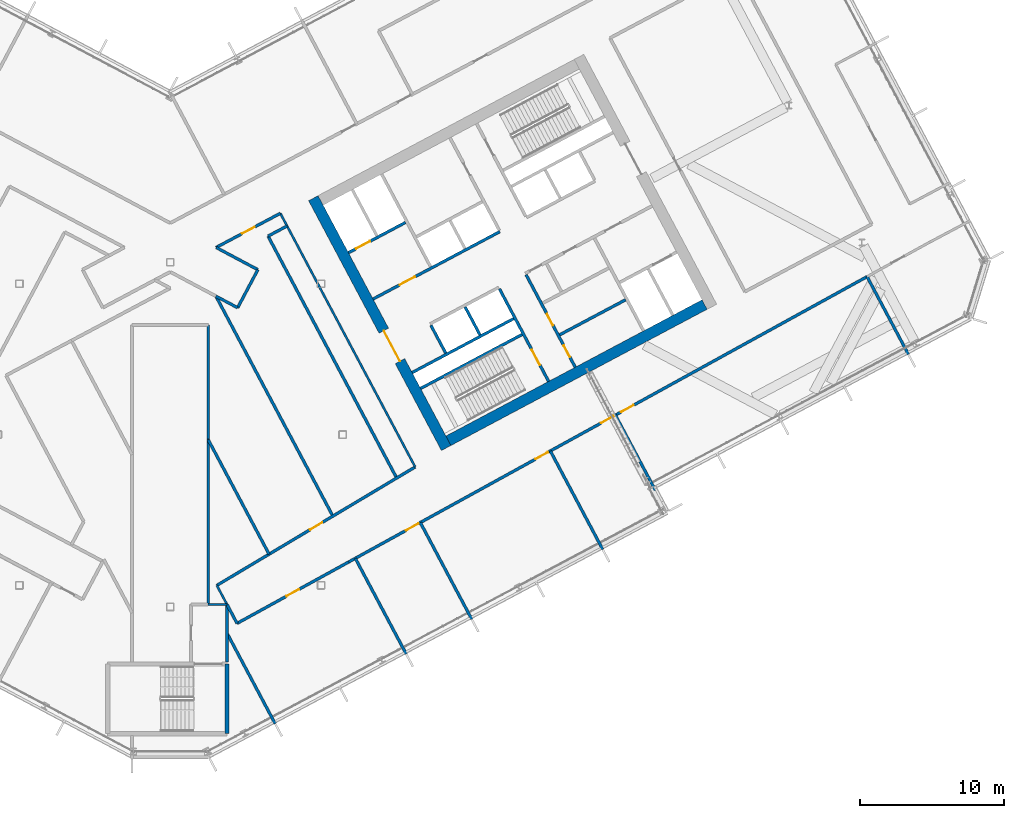
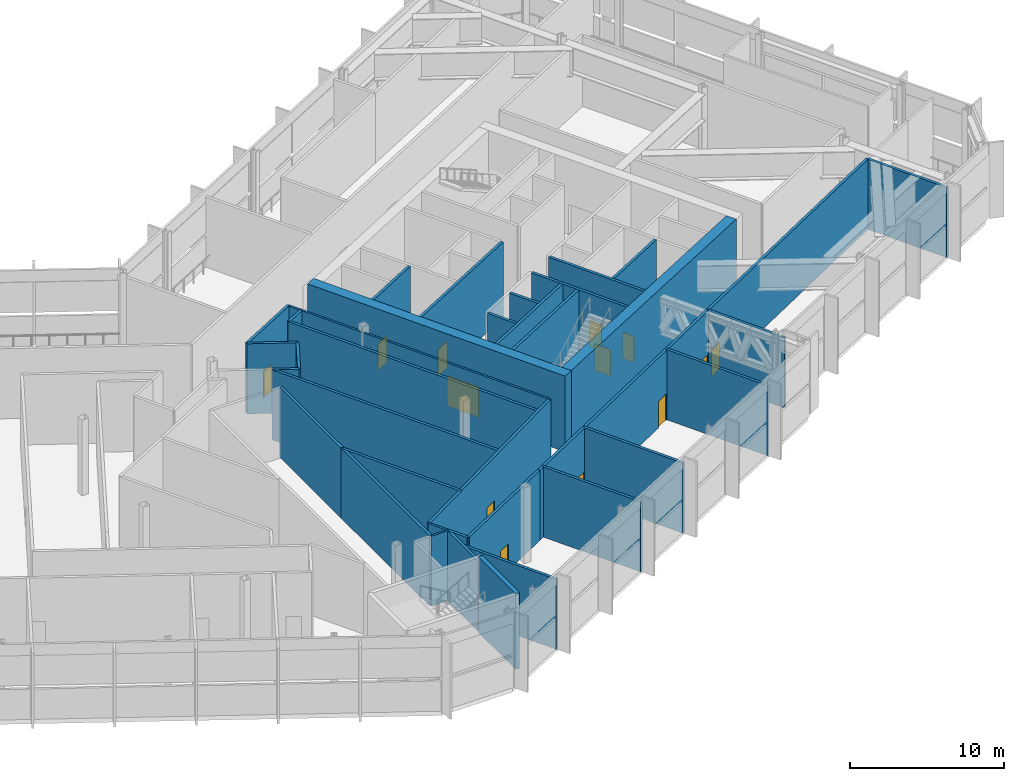
# One storey, part 16 of 33: 36 walls, 13 doors, 13 openings.
"""IFC4 building model written with IfcOpenShell, lengths in metres."""

from ifc_helpers import new_model, si_unit, direction, frame, frame_2d, origin, place, context, subcontext, project, spatial, rectangle, extrude, material, layer, layer_set, type_object, element, fill, save


model = new_model("IFC4")

# Units and contexts
model_context = context("Model", 3, precision=1e-05, world=origin(), true_north=direction((0.0, 1.0)))
body_context = subcontext(model_context, "Body", "Model", "MODEL_VIEW")
ifc_project = project(units=[si_unit("LENGTHUNIT", "METRE"), si_unit("AREAUNIT", "SQUARE_METRE"), si_unit("VOLUMEUNIT", "CUBIC_METRE"), si_unit("PLANEANGLEUNIT", "RADIAN"), si_unit("MASSUNIT", "GRAM", prefix="KILO")], contexts=[model_context])

# Site, building, storey
site_placement = place(None, origin())
site = spatial("IfcSite", under=ifc_project, at=site_placement, CompositionType="ELEMENT")
building_placement = place(site_placement, origin())
building = spatial("IfcBuilding", under=site, at=building_placement, Name="Cormorant Relay Tower", CompositionType="ELEMENT")
storey_placement = place(building_placement, frame((0.0, 0.0, 183.60009765625)))
storey = spatial("IfcBuildingStorey", under=building, at=storey_placement, Name="L39", CompositionType="ELEMENT", Elevation=183.60009765625)

# Walls
ifc_material_1 = material(Name="Concrete 40 MPa", Category="concrete")
ifc_layer_1 = layer(ifc_material_1, 0.199951171875)
ifc_layer_set_1 = layer_set([ifc_layer_1], Name="Core internal wall 200")
wall_type_1 = type_object("IfcWallType", Name="Core internal wall 200", PredefinedType="SOLIDWALL", material=ifc_layer_set_1)
wall_1_placement = place(storey_placement, frame((21.567626953125, 6.9375, 0.0), z_axis=(0.0, 0.0, 1.0), x_axis=(-0.469533832133, 0.882914480843, 0.0)))
element("IfcWall", 1, at=wall_1_placement, inside=storey, type_object=wall_type_1, Name="L39 core B shaft and room wall", PredefinedType="SOLIDWALL", context=body_context, shape_type="SweptSolid", body=[
    extrude(rectangle(XDim=2.199951171875, YDim=0.199951171875, at=frame_2d((1.10009765625, 0.0))), origin(), (0.0, 0.0, 1.0), 6.0),
])
wall_2_placement = place(storey_placement, frame((27.11474609375, 6.942138671875, 0.0), z_axis=(0.0, 0.0, 1.0), x_axis=(0.882934506056, 0.469496174655, 0.0)))
element("IfcWall", 2, at=wall_2_placement, inside=storey, type_object=wall_type_1, Name="L39 core B shaft and room wall", PredefinedType="SOLIDWALL", context=body_context, shape_type="SweptSolid", body=[
    extrude(rectangle(XDim=5.199951171875, YDim=0.199951171875, at=frame_2d((2.60009765625, 0.0))), origin(), (0.0, 0.0, 1.0), 6.0),
])
ifc_material_2 = material(Name="Concrete 50 MPa", Category="concrete")
ifc_layer_2 = layer(ifc_material_2, 0.199951171875)
ifc_layer_set_2 = layer_set([ifc_layer_2], Name="Core shaft wall 200")
wall_type_2 = type_object("IfcWallType", Name="Core shaft wall 200", PredefinedType="SHEAR", material=ifc_layer_set_2)
wall_3_placement = place(storey_placement, frame((19.18359375, 5.669921875, 0.0), z_axis=(0.0, 0.0, 1.0), x_axis=(-0.4694473164, 0.882960484464, 0.0)))
element("IfcWall", 3, at=wall_3_placement, inside=storey, type_object=wall_type_2, Name="L39 core B shaft wall", PredefinedType="SHEAR", context=body_context, shape_type="SweptSolid", body=[
    extrude(rectangle(XDim=2.199951171875, YDim=0.199951171875, at=frame_2d((1.10009765625, 0.0))), origin(), (0.0, 0.0, 1.0), 6.0),
])

# Wall, opening, door
wall_4_placement = place(storey_placement, frame((26.345947265625, 3.701904296875, 0.0), z_axis=(0.0, 0.0, 1.0), x_axis=(-0.469480409012, 0.88294288918, 0.0)))
wall_4 = element("IfcWall", 4, at=wall_4_placement, inside=storey, type_object=wall_type_2, Name="L39 core B shaft wall", PredefinedType="SHEAR", context=body_context, shape_type="SweptSolid", body=[
    extrude(rectangle(XDim=7.300048828125, YDim=0.199951171875, at=frame_2d((3.64990234375, 0.0))), origin(), (0.0, 0.0, 1.0), 6.0),
])
opening_1_placement = place(wall_4_placement, frame((1.300048828125, 0.0, 0.0)))
opening_1 = element("IfcOpeningElement", 5, at=opening_1_placement, cuts=wall_4, Name="Opening CDB-031", PredefinedType="OPENING", context=body_context, shape_type="SweptSolid", body=[
    extrude(rectangle(XDim=1.199951171875, YDim=2.10009765625, at=frame_2d((0.60009765625, 1.050048828125))), frame((0.0, 0.10986328125, 0.0), z_axis=(0.0, -1.0, 0.0), x_axis=(1.0, 0.0, 0.0)), (0.0, 0.0, 1.0), 0.219970703125),
])
ifc_material_3 = material(Name="Steel fire door", Category="steel")
door_type_1 = type_object("IfcDoorType", Name="Core stair door 1200x2100", OperationType="SINGLE_SWING_LEFT", PredefinedType="DOOR", material=ifc_material_3)
door_1_placement = place(opening_1_placement, origin())
door_1 = element("IfcDoor", 6, at=door_1_placement, inside=storey, type_object=door_type_1, Name="Core stair door 1200x2100", OperationType="SINGLE_SWING_RIGHT", OverallHeight=2.10009765625, OverallWidth=1.199951171875, PredefinedType="DOOR", context=body_context, shape_type="SweptSolid", body=[
    extrude(rectangle(XDim=1.199951171875, YDim=2.10009765625, at=frame_2d((0.60009765625, 1.050048828125))), frame((0.0, 0.02490234375, 0.0), z_axis=(0.0, -1.0, 0.0), x_axis=(1.0, 0.0, 0.0)), (0.0, 0.0, 1.0), 0.050048828125),
])
fill(opening_1, door_1)

# Wall, openings, doors
wall_5_placement = place(storey_placement, frame((28.199951171875, 4.687744140625, 0.0), z_axis=(0.0, 0.0, 1.0), x_axis=(-0.469454336211, 0.882956752176, 0.0)))
wall_5 = element("IfcWall", 7, at=wall_5_placement, inside=storey, type_object=wall_type_2, Name="L39 core B shaft wall", PredefinedType="SHEAR", context=body_context, shape_type="SweptSolid", body=[
    extrude(rectangle(XDim=7.300048828125, YDim=0.199951171875, at=frame_2d((3.64990234375, 0.0))), origin(), (0.0, 0.0, 1.0), 6.0),
])
opening_2_placement = place(wall_5_placement, frame((0.800048828125, 0.0, 0.0)))
opening_2 = element("IfcOpeningElement", 8, at=opening_2_placement, cuts=wall_5, Name="Opening CDD-230", PredefinedType="OPENING", context=body_context, shape_type="SweptSolid", body=[
    extrude(rectangle(XDim=0.89990234375, YDim=2.10009765625, at=frame_2d((0.449951171875, 1.050048828125))), frame((0.0, 0.10986328125, 0.0), z_axis=(0.0, -1.0, 0.0), x_axis=(1.0, 0.0, 0.0)), (0.0, 0.0, 1.0), 0.219970703125),
])
opening_3_placement = place(wall_5_placement, frame((3.300048828125, 0.0, 0.0)))
opening_3 = element("IfcOpeningElement", 9, at=opening_3_placement, cuts=wall_5, Name="Opening CDD-231", PredefinedType="OPENING", context=body_context, shape_type="SweptSolid", body=[
    extrude(rectangle(XDim=0.89990234375, YDim=2.10009765625, at=frame_2d((0.449951171875, 1.050048828125))), frame((0.0, 0.10986328125, 0.0), z_axis=(0.0, -1.0, 0.0), x_axis=(1.0, 0.0, 0.0)), (0.0, 0.0, 1.0), 0.219970703125),
])
ifc_material_4 = material(Name="Steel fire door", Category="steel")
door_type_2 = type_object("IfcDoorType", Name="Core room door 900x2100", OperationType="SINGLE_SWING_LEFT", PredefinedType="DOOR", material=ifc_material_4)
door_2_placement = place(opening_2_placement, frame((0.89990234375, 0.0, 0.0), z_axis=(0.0, 0.0, 1.0), x_axis=(-1.0, 0.0, 0.0)))
door_2 = element("IfcDoor", 10, at=door_2_placement, inside=storey, type_object=door_type_2, Name="Core room door 900x2100", OperationType="SINGLE_SWING_LEFT", OverallHeight=2.10009765625, OverallWidth=0.89990234375, PredefinedType="DOOR", context=body_context, shape_type="SweptSolid", body=[
    extrude(rectangle(XDim=0.89990234375, YDim=2.10009765625, at=frame_2d((0.449951171875, 1.050048828125))), frame((0.0, 0.02490234375, 0.0), z_axis=(0.0, -1.0, 0.0), x_axis=(1.0, 0.0, 0.0)), (0.0, 0.0, 1.0), 0.050048828125),
])
fill(opening_2, door_2)
door_3_placement = place(opening_3_placement, frame((0.89990234375, 0.0, 0.0), z_axis=(0.0, 0.0, 1.0), x_axis=(-1.0, 0.0, 0.0)))
door_3 = element("IfcDoor", 11, at=door_3_placement, inside=storey, type_object=door_type_2, Name="Core room door 900x2100", OperationType="SINGLE_SWING_LEFT", OverallHeight=2.10009765625, OverallWidth=0.89990234375, PredefinedType="DOOR", context=body_context, shape_type="SweptSolid", body=[
    extrude(rectangle(XDim=0.89990234375, YDim=2.10009765625, at=frame_2d((0.449951171875, 1.050048828125))), frame((0.0, 0.02490234375, 0.0), z_axis=(0.0, -1.0, 0.0), x_axis=(1.0, 0.0, 0.0)), (0.0, 0.0, 1.0), 0.050048828125),
])
fill(opening_3, door_3)

# Walls
for number, where, z_axis, x_axis, name in (
    (12, (17.43359375, 3.210205078125, 0.0), (0.0, 0.0, 1.0), (0.882940221191, 0.469485426614, 0.0), "L39 core B shaft wall"),
    (13, (16.8466796875, 4.31396484375, 0.0), (0.0, 0.0, 1.0), (0.882940221191, 0.469485426614, 0.0), "L39 core B shaft wall"),
):
    element("IfcWall", number, at=place(storey_placement, frame(where, z_axis=z_axis, x_axis=x_axis)), inside=storey, type_object=wall_type_2, Name=name, PredefinedType="SHEAR", context=body_context, shape_type="SweptSolid", body=[
        extrude(rectangle(XDim=8.0, YDim=0.199951171875, at=frame_2d((4.0, 0.0))), origin(), (0.0, 0.0, 1.0), 6.0),
    ])

# Wall, opening, door
wall_6_placement = place(storey_placement, frame((14.123779296875, 9.43505859375, 0.0), z_axis=(0.0, 0.0, 1.0), x_axis=(0.882940221191, 0.469485426614, 0.0)))
wall_6 = element("IfcWall", 14, at=wall_6_placement, inside=storey, type_object=wall_type_2, Name="L39 core B shaft wall", PredefinedType="SHEAR", context=body_context, shape_type="SweptSolid", body=[
    extrude(rectangle(XDim=10.0, YDim=0.199951171875, at=frame_2d((5.0, 0.0))), origin(), (0.0, 0.0, 1.0), 6.0),
])
opening_4_placement = place(wall_6_placement, frame((2.10009765625, 0.0, 0.0)))
opening_4 = element("IfcOpeningElement", 15, at=opening_4_placement, cuts=wall_6, Name="Opening CDC-023", PredefinedType="OPENING", context=body_context, shape_type="SweptSolid", body=[
    extrude(rectangle(XDim=1.199951171875, YDim=2.10009765625, at=frame_2d((0.60009765625, 1.050048828125))), frame((0.0, 0.10986328125, 0.0), z_axis=(0.0, -1.0, 0.0), x_axis=(1.0, 0.0, 0.0)), (0.0, 0.0, 1.0), 0.219970703125),
])
ifc_material_5 = material(Name="Steel fire door", Category="steel")
door_type_3 = type_object("IfcDoorType", Name="Core lobby door 1200x2100", OperationType="SINGLE_SWING_LEFT", PredefinedType="DOOR", material=ifc_material_5)
door_4_placement = place(opening_4_placement, origin())
door_4 = element("IfcDoor", 16, at=door_4_placement, inside=storey, type_object=door_type_3, Name="Core lobby door 1200x2100", OperationType="SINGLE_SWING_RIGHT", OverallHeight=2.10009765625, OverallWidth=1.199951171875, PredefinedType="DOOR", context=body_context, shape_type="SweptSolid", body=[
    extrude(rectangle(XDim=1.199951171875, YDim=2.10009765625, at=frame_2d((0.60009765625, 1.050048828125))), frame((0.0, 0.02490234375, 0.0), z_axis=(0.0, -1.0, 0.0), x_axis=(1.0, 0.0, 0.0)), (0.0, 0.0, 1.0), 0.050048828125),
])
fill(opening_4, door_4)

wall_7_placement = place(storey_placement, frame((12.41015625, 12.657958984375, 0.0), z_axis=(0.0, 0.0, 1.0), x_axis=(0.8829484765, 0.469469900894, 0.0)))
wall_7 = element("IfcWall", 17, at=wall_7_placement, inside=storey, type_object=wall_type_2, Name="L39 core B shaft wall", PredefinedType="SHEAR", context=body_context, shape_type="SweptSolid", body=[
    extrude(rectangle(XDim=4.499755859375, YDim=0.199951171875, at=frame_2d((2.25, 0.0))), origin(), (0.0, 0.0, 1.0), 6.0),
])
opening_5_placement = place(wall_7_placement, frame((0.60009765625, 0.0, 0.0)))
opening_5 = element("IfcOpeningElement", 18, at=opening_5_placement, cuts=wall_7, Name="Opening LD1-042", PredefinedType="OPENING", context=body_context, shape_type="SweptSolid", body=[
    extrude(rectangle(XDim=1.10009765625, YDim=2.10009765625, at=frame_2d((0.550048828125, 1.050048828125))), frame((0.0, 0.10986328125, 0.0), z_axis=(0.0, -1.0, 0.0), x_axis=(1.0, 0.0, 0.0)), (0.0, 0.0, 1.0), 0.219970703125),
])
ifc_material_6 = material(Name="Stainless steel 316", Category="steel")
door_type_4 = type_object("IfcDoorType", Name="Lift landing door 1100x2100", OperationType="DOUBLE_DOOR_SLIDING", PredefinedType="DOOR", material=ifc_material_6)
door_5_placement = place(opening_5_placement, origin())
door_5 = element("IfcDoor", 19, at=door_5_placement, inside=storey, type_object=door_type_4, Name="FF2 landing door", OperationType="DOUBLE_DOOR_SLIDING", OverallHeight=2.10009765625, OverallWidth=1.10009765625, PredefinedType="DOOR", context=body_context, shape_type="SweptSolid", body=[
    extrude(rectangle(XDim=1.10009765625, YDim=2.10009765625, at=frame_2d((0.550048828125, 1.050048828125))), frame((0.0, 0.02490234375, 0.0), z_axis=(0.0, -1.0, 0.0), x_axis=(1.0, 0.0, 0.0)), (0.0, 0.0, 1.0), 0.050048828125),
])
fill(opening_5, door_5)

ifc_material_7 = material(Name="Concrete 60 MPa", Category="concrete")
ifc_layer_3 = layer(ifc_material_7, 0.75)
ifc_layer_set_3 = layer_set([ifc_layer_3], Name="Core wall 750")
wall_type_3 = type_object("IfcWallType", Name="Core wall 750", PredefinedType="SHEAR", material=ifc_layer_set_3)
wall_8_placement = place(storey_placement, frame((19.215087890625, -0.93896484375, 0.0), z_axis=(0.0, 0.0, 1.0), x_axis=(-0.469479580143, 0.882943329908, 0.0)))
wall_8 = element("IfcWall", 20, at=wall_8_placement, inside=storey, type_object=wall_type_3, Name="L39 core B wall", PredefinedType="SHEAR", context=body_context, shape_type="SweptSolid", body=[
    extrude(rectangle(XDim=19.699951171875, YDim=0.75, at=frame_2d((9.85009765625, 0.0))), origin(), (0.0, 0.0, 1.0), 6.0),
])
opening_6_placement = place(wall_8_placement, frame((6.85009765625, 0.0, 0.0)))
opening_6 = element("IfcOpeningElement", 21, at=opening_6_placement, cuts=wall_8, Name="Opening CDA-038", PredefinedType="OPENING", context=body_context, shape_type="SweptSolid", body=[
    extrude(rectangle(XDim=2.39990234375, YDim=2.39990234375, at=frame_2d((1.199951171875, 1.199951171875))), frame((0.0, 0.385009765625, 0.0), z_axis=(0.0, -1.0, 0.0), x_axis=(1.0, 0.0, 0.0)), (0.0, 0.0, 1.0), 0.77001953125),
])
ifc_material_8 = material(Name="Steel fire door", Category="steel")
door_type_5 = type_object("IfcDoorType", Name="Core lobby door 2400x2400", OperationType="DOUBLE_DOOR_SINGLE_SWING", PredefinedType="DOOR", material=ifc_material_8)
door_6_placement = place(opening_6_placement, frame((2.39990234375, 0.0, 0.0), z_axis=(0.0, 0.0, 1.0), x_axis=(-1.0, 0.0, 0.0)))
door_6 = element("IfcDoor", 22, at=door_6_placement, inside=storey, type_object=door_type_5, Name="Core lobby door 2400x2400", OperationType="DOUBLE_DOOR_SINGLE_SWING", OverallHeight=2.39990234375, OverallWidth=2.39990234375, PredefinedType="DOOR", context=body_context, shape_type="SweptSolid", body=[
    extrude(rectangle(XDim=2.39990234375, YDim=2.39990234375, at=frame_2d((1.199951171875, 1.199951171875))), frame((0.0, 0.02490234375, 0.0), z_axis=(0.0, -1.0, 0.0), x_axis=(1.0, 0.0, 0.0)), (0.0, 0.0, 1.0), 0.050048828125),
])
fill(opening_6, door_6)

# Walls
wall_9_placement = place(storey_placement, frame((19.3701171875, -0.431884765625, 0.0), z_axis=(0.0, 0.0, 1.0), x_axis=(0.88294509198, 0.469476266226, 0.0)))
element("IfcWall", 23, at=wall_9_placement, inside=storey, type_object=wall_type_3, Name="L39 core B wall", PredefinedType="SHEAR", context=body_context, shape_type="SweptSolid", body=[
    extrude(rectangle(XDim=20.199951171875, YDim=0.75, at=frame_2d((10.10009765625, 0.0))), origin(), (0.0, 0.0, 1.0), 6.0),
])
ifc_material_9 = material(Name="Fire-rated gypsum board partition")
ifc_layer_4 = layer(ifc_material_9, 0.199951171875)
ifc_layer_set_4 = layer_set([ifc_layer_4], Name="Fire-rated gypsum partition 200")
wall_type_4 = type_object("IfcWallType", Name="Fire-rated gypsum partition 200", PredefinedType="PARTITIONING", material=ifc_layer_set_4)
wall_10_placement = place(storey_placement, frame((2.64892578125, -0.297119140625, 0.0), z_axis=(0.0, 0.0, 1.0), x_axis=(-0.000123285559, 0.9999999924, 0.0)))
element("IfcWall", 24, at=wall_10_placement, inside=storey, type_object=wall_type_4, Name="wall/L39/part/45", PredefinedType="PARTITIONING", context=body_context, shape_type="SweptSolid", body=[
    extrude(rectangle(XDim=7.921142578125, YDim=0.199951171875, at=frame_2d((3.96044921875, 0.0))), origin(), (0.0, 0.0, 1.0), 5.5498046875),
])
wall_11_placement = place(storey_placement, frame((3.18408203125, 9.632080078125, 0.0), z_axis=(0.0, 0.0, 1.0), x_axis=(0.469488044355, -0.882938829256, 0.0)))
element("IfcWall", 25, at=wall_11_placement, inside=storey, type_object=wall_type_4, Name="wall/L39/part/51", PredefinedType="PARTITIONING", context=body_context, shape_type="SweptSolid", body=[
    extrude(rectangle(XDim=17.33984375, YDim=0.199951171875, at=frame_2d((8.669921875, 0.0))), origin(), (0.0, 0.0, 1.0), 5.5498046875),
])
wall_12_placement = place(storey_placement, frame((6.883056640625, -8.3291015625, 0.0), z_axis=(0.0, 0.0, 1.0), x_axis=(-0.469431608927, 0.882968835543, 0.0)))
element("IfcWall", 26, at=wall_12_placement, inside=storey, type_object=wall_type_4, Name="wall/L39/part/52", PredefinedType="PARTITIONING", context=body_context, shape_type="SweptSolid", body=[
    extrude(rectangle(XDim=9.019775390625, YDim=0.199951171875, at=frame_2d((4.509765625, 0.0))), origin(), (0.0, 0.0, 1.0), 5.5498046875),
])
wall_13_placement = place(storey_placement, frame((3.949951171875, -11.824951171875, 0.0), z_axis=(0.0, 0.0, 1.0), x_axis=(0.0, -1.0, 0.0)))
element("IfcWall", 27, at=wall_13_placement, inside=storey, type_object=wall_type_4, Name="wall/L39/part/57", PredefinedType="PARTITIONING", context=body_context, shape_type="SweptSolid", body=[
    extrude(rectangle(XDim=4.01513671875, YDim=0.199951171875, at=frame_2d((2.007568359375, 0.0))), origin(), (0.0, 0.0, 1.0), 5.5498046875),
])
wall_14_placement = place(storey_placement, frame((2.64892578125, -0.297119140625, 0.0), z_axis=(0.0, 0.0, 1.0), x_axis=(0.0, -1.0, 0.0)))
element("IfcWall", 28, at=wall_14_placement, inside=storey, type_object=wall_type_4, Name="wall/L39/part/58", PredefinedType="PARTITIONING", context=body_context, shape_type="SweptSolid", body=[
    extrude(rectangle(XDim=11.52783203125, YDim=0.199951171875, at=frame_2d((5.763916015625, 0.0))), origin(), (0.0, 0.0, 1.0), 5.5498046875),
])

# Wall, opening, door
wall_15_placement = place(storey_placement, frame((3.195068359375, 13.02490234375, 0.0), z_axis=(0.0, 0.0, 1.0), x_axis=(0.882993980878, 0.469384309211, 0.0)))
wall_15 = element("IfcWall", 29, at=wall_15_placement, inside=storey, type_object=wall_type_4, Name="wall/L39/part/59", PredefinedType="PARTITIONING", context=body_context, shape_type="SweptSolid", body=[
    extrude(rectangle(XDim=5.064453125, YDim=0.199951171875, at=frame_2d((2.5322265625, 0.0))), origin(), (0.0, 0.0, 1.0), 5.5498046875),
])
opening_7_placement = place(wall_15_placement, frame((2.050048828125, 0.0, 0.0)))
opening_7 = element("IfcOpeningElement", 30, at=opening_7_placement, cuts=wall_15, Name="Opening FD1-175", PredefinedType="OPENING", context=body_context, shape_type="SweptSolid", body=[
    extrude(rectangle(XDim=1.0, YDim=2.10009765625, at=frame_2d((0.5, 1.050048828125))), frame((0.0, 0.10986328125, 0.0), z_axis=(0.0, -1.0, 0.0), x_axis=(1.0, 0.0, 0.0)), (0.0, 0.0, 1.0), 0.219970703125),
])
ifc_material_10 = material(Name="Fire-rated steel door", Category="steel")
door_type_6 = type_object("IfcDoorType", Name="Fire door 1000 x 2100", OperationType="SINGLE_SWING_LEFT", PredefinedType="DOOR", material=ifc_material_10)
door_7_placement = place(opening_7_placement, frame((1.0, 0.0, 0.0), z_axis=(0.0, 0.0, 1.0), x_axis=(-1.0, 0.0, 0.0)))
door_7 = element("IfcDoor", 31, at=door_7_placement, inside=storey, type_object=door_type_6, Name="door/L39/8", OperationType="SINGLE_SWING_RIGHT", OverallHeight=2.10009765625, OverallWidth=1.0, PredefinedType="DOOR", context=body_context, shape_type="SweptSolid", body=[
    extrude(rectangle(XDim=1.0, YDim=2.10009765625, at=frame_2d((0.5, 1.050048828125))), frame((0.0, 0.02490234375, 0.0), z_axis=(0.0, -1.0, 0.0), x_axis=(1.0, 0.0, 0.0)), (0.0, 0.0, 1.0), 0.050048828125),
])
fill(opening_7, door_7)

# Walls
wall_16_placement = place(storey_placement, frame((8.135986328125, 14.51904296875, 0.0), z_axis=(0.0, 0.0, 1.0), x_axis=(-0.882641123357, -0.470047494791, 0.0)))
element("IfcWall", 32, at=wall_16_placement, inside=storey, type_object=wall_type_4, Name="wall/L39/part/60", PredefinedType="PARTITIONING", context=body_context, shape_type="SweptSolid", body=[
    extrude(rectangle(XDim=1.5, YDim=0.199951171875, at=frame_2d((0.75, 0.0))), origin(), (0.0, 0.0, 1.0), 5.5498046875),
])
wall_17_placement = place(storey_placement, frame((6.81201171875, 13.81396484375, 0.0), z_axis=(0.0, 0.0, 1.0), x_axis=(0.46951956429, -0.882922068333, 0.0)))
element("IfcWall", 33, at=wall_17_placement, inside=storey, type_object=wall_type_4, Name="wall/L39/part/61", PredefinedType="PARTITIONING", context=body_context, shape_type="SweptSolid", body=[
    extrude(rectangle(XDim=19.07275390625, YDim=0.199951171875, at=frame_2d((9.536376953125, 0.0))), origin(), (0.0, 0.0, 1.0), 5.5498046875),
])
wall_18_placement = place(storey_placement, frame((3.2060546875, 13.01904296875, 0.0), z_axis=(0.0, 0.0, 1.0), x_axis=(0.882863200263, -0.469630247772, 0.0)))
element("IfcWall", 34, at=wall_18_placement, inside=storey, type_object=wall_type_4, Name="wall/L39/part/62", PredefinedType="PARTITIONING", context=body_context, shape_type="SweptSolid", body=[
    extrude(rectangle(XDim=3.28125, YDim=0.199951171875, at=frame_2d((1.640625, 0.0))), origin(), (0.0, 0.0, 1.0), 5.5498046875),
])
wall_19_placement = place(storey_placement, frame((6.10302734375, 11.47802734375, 0.0), z_axis=(0.0, 0.0, 1.0), x_axis=(-0.469341661158, -0.883016650523, 0.0)))
element("IfcWall", 35, at=wall_19_placement, inside=storey, type_object=wall_type_4, Name="wall/L39/part/63", PredefinedType="PARTITIONING", context=body_context, shape_type="SweptSolid", body=[
    extrude(rectangle(XDim=2.999755859375, YDim=0.199951171875, at=frame_2d((1.5, 0.0))), origin(), (0.0, 0.0, 1.0), 5.5498046875),
])
wall_20_placement = place(storey_placement, frame((4.695068359375, 8.8291015625, 0.0), z_axis=(0.0, 0.0, 1.0), x_axis=(-0.882799303078, 0.469750349106, 0.0)))
element("IfcWall", 36, at=wall_20_placement, inside=storey, type_object=wall_type_4, Name="wall/L39/part/64", PredefinedType="PARTITIONING", context=body_context, shape_type="SweptSolid", body=[
    extrude(rectangle(XDim=1.70947265625, YDim=0.199951171875, at=frame_2d((0.854736328125, 0.0))), origin(), (0.0, 0.0, 1.0), 5.5498046875),
])

# Wall, opening, door
wall_21_placement = place(storey_placement, frame((3.24609375, -10.5009765625, 0.0), z_axis=(0.0, 0.0, 1.0), x_axis=(0.858642651925, 0.512574673872, 0.0)))
wall_21 = element("IfcWall", 37, at=wall_21_placement, inside=storey, type_object=wall_type_4, Name="wall/L39/part/66", PredefinedType="PARTITIONING", context=body_context, shape_type="SweptSolid", body=[
    extrude(rectangle(XDim=16.083251953125, YDim=0.199951171875, at=frame_2d((8.04150390625, 0.0))), origin(), (0.0, 0.0, 1.0), 5.5498046875),
])
opening_8_placement = place(wall_21_placement, frame((7.550048828125, 0.0, 0.0)))
opening_8 = element("IfcOpeningElement", 38, at=opening_8_placement, cuts=wall_21, Name="Opening FD1-173", PredefinedType="OPENING", context=body_context, shape_type="SweptSolid", body=[
    extrude(rectangle(XDim=1.0, YDim=2.10009765625, at=frame_2d((0.5, 1.050048828125))), frame((0.0, 0.10986328125, 0.0), z_axis=(0.0, -1.0, 0.0), x_axis=(1.0, 0.0, 0.0)), (0.0, 0.0, 1.0), 0.219970703125),
])
door_8_placement = place(opening_8_placement, origin())
door_8 = element("IfcDoor", 39, at=door_8_placement, inside=storey, type_object=door_type_6, Name="door/L39/6", OperationType="SINGLE_SWING_RIGHT", OverallHeight=2.10009765625, OverallWidth=1.0, PredefinedType="DOOR", context=body_context, shape_type="SweptSolid", body=[
    extrude(rectangle(XDim=1.0, YDim=2.10009765625, at=frame_2d((0.5, 1.050048828125))), frame((0.0, 0.02490234375, 0.0), z_axis=(0.0, -1.0, 0.0), x_axis=(1.0, 0.0, 0.0)), (0.0, 0.0, 1.0), 0.050048828125),
])
fill(opening_8, door_8)

# Wall
wall_22_placement = place(storey_placement, frame((7.303955078125, -20.126953125, 0.0), z_axis=(0.0, 0.0, 1.0), x_axis=(-0.469420857785, 0.882974551319, 0.0)))
element("IfcWall", 40, at=wall_22_placement, inside=storey, type_object=wall_type_4, Name="wall/L39/part/68", PredefinedType="PARTITIONING", context=body_context, shape_type="SweptSolid", body=[
    extrude(rectangle(XDim=7.14501953125, YDim=0.199951171875, at=frame_2d((3.572509765625, 0.0))), origin(), (0.0, 0.0, 1.0), 5.5498046875),
])

# Wall, opening, door
wall_23_placement = place(storey_placement, frame((12.424072265625, -8.873046875, 0.0), z_axis=(0.0, 0.0, 1.0), x_axis=(-0.876103131237, -0.482123742867, 0.0)))
wall_23 = element("IfcWall", 41, at=wall_23_placement, inside=storey, type_object=wall_type_4, Name="wall/L39/part/69", PredefinedType="PARTITIONING", context=body_context, shape_type="SweptSolid", body=[
    extrude(rectangle(XDim=8.868896484375, YDim=0.199951171875, at=frame_2d((4.4345703125, 0.0))), origin(), (0.0, 0.0, 1.0), 5.5498046875),
])
opening_9_placement = place(wall_23_placement, frame((3.950927734375, 0.0, 0.0)))
opening_9 = element("IfcOpeningElement", 42, at=opening_9_placement, cuts=wall_23, Name="Opening FD1-172", PredefinedType="OPENING", context=body_context, shape_type="SweptSolid", body=[
    extrude(rectangle(XDim=1.0, YDim=2.10009765625, at=frame_2d((0.5, 1.050048828125))), frame((0.0, 0.10986328125, 0.0), z_axis=(0.0, -1.0, 0.0), x_axis=(1.0, 0.0, 0.0)), (0.0, 0.0, 1.0), 0.219970703125),
])
door_9_placement = place(opening_9_placement, origin())
door_9 = element("IfcDoor", 43, at=door_9_placement, inside=storey, type_object=door_type_6, Name="door/L39/5", OperationType="SINGLE_SWING_LEFT", OverallHeight=2.10009765625, OverallWidth=1.0, PredefinedType="DOOR", context=body_context, shape_type="SweptSolid", body=[
    extrude(rectangle(XDim=1.0, YDim=2.10009765625, at=frame_2d((0.5, 1.050048828125))), frame((0.0, 0.02490234375, 0.0), z_axis=(0.0, -1.0, 0.0), x_axis=(1.0, 0.0, 0.0)), (0.0, 0.0, 1.0), 0.050048828125),
])
fill(opening_9, door_9)

# Walls
wall_24_placement = place(storey_placement, frame((3.950927734375, -11.826904296875, 0.0), z_axis=(0.0, 0.0, 1.0), x_axis=(0.470080557323, -0.882623515224, 0.0)))
element("IfcWall", 44, at=wall_24_placement, inside=storey, type_object=wall_type_4, Name="wall/L39/part/70", PredefinedType="PARTITIONING", context=body_context, shape_type="SweptSolid", body=[
    extrude(rectangle(XDim=1.497802734375, YDim=0.199951171875, at=frame_2d((0.7490234375, 0.0))), origin(), (0.0, 0.0, 1.0), 5.5498046875),
])
wall_25_placement = place(storey_placement, frame((12.887939453125, -8.616943359375, 0.0), z_axis=(0.0, 0.0, 1.0), x_axis=(0.469566260547, -0.882897234652, 0.0)))
element("IfcWall", 45, at=wall_25_placement, inside=storey, type_object=wall_type_4, Name="wall/L39/part/71", PredefinedType="PARTITIONING", context=body_context, shape_type="SweptSolid", body=[
    extrude(rectangle(XDim=7.541015625, YDim=0.199951171875, at=frame_2d((3.7705078125, 0.0))), origin(), (0.0, 0.0, 1.0), 5.5498046875),
])

# Wall, openings, doors
wall_26_placement = place(storey_placement, frame((48.51806640625, 10.993896484375, 0.0), z_axis=(0.0, 0.0, 1.0), x_axis=(-0.876059599613, -0.482202838986, 0.0)))
wall_26 = element("IfcWall", 46, at=wall_26_placement, inside=storey, type_object=wall_type_4, Name="wall/L39/part/72", PredefinedType="PARTITIONING", context=body_context, shape_type="SweptSolid", body=[
    extrude(rectangle(XDim=41.200439453125, YDim=0.199951171875, at=frame_2d((20.60009765625, 0.0))), origin(), (0.0, 0.0, 1.0), 5.5498046875),
])
opening_10_placement = place(wall_26_placement, frame((35.65087890625, 0.0, 0.0)))
opening_10 = element("IfcOpeningElement", 47, at=opening_10_placement, cuts=wall_26, Name="Opening FD1-174", PredefinedType="OPENING", context=body_context, shape_type="SweptSolid", body=[
    extrude(rectangle(XDim=1.0, YDim=2.10009765625, at=frame_2d((0.5, 1.050048828125))), frame((0.0, 0.10986328125, 0.0), z_axis=(0.0, -1.0, 0.0), x_axis=(1.0, 0.0, 0.0)), (0.0, 0.0, 1.0), 0.219970703125),
])
opening_11_placement = place(wall_26_placement, frame((25.35009765625, 0.0, 0.0)))
opening_11 = element("IfcOpeningElement", 48, at=opening_11_placement, cuts=wall_26, Name="Opening FD1-176", PredefinedType="OPENING", context=body_context, shape_type="SweptSolid", body=[
    extrude(rectangle(XDim=1.0, YDim=2.10009765625, at=frame_2d((0.5, 1.050048828125))), frame((0.0, 0.10986328125, 0.0), z_axis=(0.0, -1.0, 0.0), x_axis=(1.0, 0.0, 0.0)), (0.0, 0.0, 1.0), 0.219970703125),
])
opening_12_placement = place(wall_26_placement, frame((20.15087890625, 0.0, 0.0)))
opening_12 = element("IfcOpeningElement", 49, at=opening_12_placement, cuts=wall_26, Name="Opening FD1-152", PredefinedType="OPENING", context=body_context, shape_type="SweptSolid", body=[
    extrude(rectangle(XDim=1.0, YDim=2.10009765625, at=frame_2d((0.5, 1.050048828125))), frame((0.0, 0.10986328125, 0.0), z_axis=(0.0, -1.0, 0.0), x_axis=(1.0, 0.0, 0.0)), (0.0, 0.0, 1.0), 0.219970703125),
])
opening_13_placement = place(wall_26_placement, frame((18.550048828125, 0.0, 0.0)))
opening_13 = element("IfcOpeningElement", 50, at=opening_13_placement, cuts=wall_26, Name="Opening FD1-153", PredefinedType="OPENING", context=body_context, shape_type="SweptSolid", body=[
    extrude(rectangle(XDim=1.0, YDim=2.10009765625, at=frame_2d((0.5, 1.050048828125))), frame((0.0, 0.10986328125, 0.0), z_axis=(0.0, -1.0, 0.0), x_axis=(1.0, 0.0, 0.0)), (0.0, 0.0, 1.0), 0.219970703125),
])
door_10_placement = place(opening_10_placement, origin())
door_10 = element("IfcDoor", 51, at=door_10_placement, inside=storey, type_object=door_type_6, Name="door/L39/7", OperationType="SINGLE_SWING_LEFT", OverallHeight=2.10009765625, OverallWidth=1.0, PredefinedType="DOOR", context=body_context, shape_type="SweptSolid", body=[
    extrude(rectangle(XDim=1.0, YDim=2.10009765625, at=frame_2d((0.5, 1.050048828125))), frame((0.0, 0.02490234375, 0.0), z_axis=(0.0, -1.0, 0.0), x_axis=(1.0, 0.0, 0.0)), (0.0, 0.0, 1.0), 0.050048828125),
])
fill(opening_10, door_10)
door_11_placement = place(opening_11_placement, origin())
door_11 = element("IfcDoor", 52, at=door_11_placement, inside=storey, type_object=door_type_6, Name="door/L39/9", OperationType="SINGLE_SWING_LEFT", OverallHeight=2.10009765625, OverallWidth=1.0, PredefinedType="DOOR", context=body_context, shape_type="SweptSolid", body=[
    extrude(rectangle(XDim=1.0, YDim=2.10009765625, at=frame_2d((0.5, 1.050048828125))), frame((0.0, 0.02490234375, 0.0), z_axis=(0.0, -1.0, 0.0), x_axis=(1.0, 0.0, 0.0)), (0.0, 0.0, 1.0), 0.050048828125),
])
fill(opening_11, door_11)
door_12_placement = place(opening_12_placement, origin())
door_12 = element("IfcDoor", 53, at=door_12_placement, inside=storey, type_object=door_type_6, Name="door/L39/10", OperationType="SINGLE_SWING_LEFT", OverallHeight=2.10009765625, OverallWidth=1.0, PredefinedType="DOOR", context=body_context, shape_type="SweptSolid", body=[
    extrude(rectangle(XDim=1.0, YDim=2.10009765625, at=frame_2d((0.5, 1.050048828125))), frame((0.0, 0.02490234375, 0.0), z_axis=(0.0, -1.0, 0.0), x_axis=(1.0, 0.0, 0.0)), (0.0, 0.0, 1.0), 0.050048828125),
])
fill(opening_12, door_12)
door_13_placement = place(opening_13_placement, origin())
door_13 = element("IfcDoor", 54, at=door_13_placement, inside=storey, type_object=door_type_6, Name="door/L39/11", OperationType="SINGLE_SWING_RIGHT", OverallHeight=2.10009765625, OverallWidth=1.0, PredefinedType="DOOR", context=body_context, shape_type="SweptSolid", body=[
    extrude(rectangle(XDim=1.0, YDim=2.10009765625, at=frame_2d((0.5, 1.050048828125))), frame((0.0, 0.02490234375, 0.0), z_axis=(0.0, -1.0, 0.0), x_axis=(1.0, 0.0, 0.0)), (0.0, 0.0, 1.0), 0.050048828125),
])
fill(opening_13, door_13)

# Walls
wall_27_placement = place(storey_placement, frame((17.4150390625, -6.1259765625, 0.0), z_axis=(0.0, 0.0, 1.0), x_axis=(0.46943804269, -0.882965414994, 0.0)))
element("IfcWall", 55, at=wall_27_placement, inside=storey, type_object=wall_type_4, Name="wall/L39/part/73", PredefinedType="PARTITIONING", context=body_context, shape_type="SweptSolid", body=[
    extrude(rectangle(XDim=7.615478515625, YDim=0.199951171875, at=frame_2d((3.8076171875, 0.0))), origin(), (0.0, 0.0, 1.0), 5.5498046875),
])
wall_28_placement = place(storey_placement, frame((26.468017578125, -1.14306640625, 0.0), z_axis=(0.0, 0.0, 1.0), x_axis=(0.469435669849, -0.882966676536, 0.0)))
element("IfcWall", 56, at=wall_28_placement, inside=storey, type_object=wall_type_4, Name="wall/L39/part/76", PredefinedType="PARTITIONING", context=body_context, shape_type="SweptSolid", body=[
    extrude(rectangle(XDim=7.7646484375, YDim=0.199951171875, at=frame_2d((3.88232421875, 0.0))), origin(), (0.0, 0.0, 1.0), 5.5498046875),
])
wall_29_placement = place(storey_placement, frame((30.9951171875, 1.34912109375, 0.0), z_axis=(0.0, 0.0, 1.0), x_axis=(0.469470734434, -0.882948033301, 0.0)))
element("IfcWall", 57, at=wall_29_placement, inside=storey, type_object=wall_type_4, Name="wall/L39/part/80", PredefinedType="PARTITIONING", context=body_context, shape_type="SweptSolid", body=[
    extrude(rectangle(XDim=5.921142578125, YDim=0.199951171875, at=frame_2d((2.96044921875, 0.0))), origin(), (0.0, 0.0, 1.0), 5.5498046875),
])
wall_30_placement = place(storey_placement, frame((48.51806640625, 10.993896484375, 0.0), z_axis=(0.0, 0.0, 1.0), x_axis=(0.469396939258, -0.882987266848, 0.0)))
element("IfcWall", 58, at=wall_30_placement, inside=storey, type_object=wall_type_4, Name="wall/L39/part/81", PredefinedType="PARTITIONING", context=body_context, shape_type="SweptSolid", body=[
    extrude(rectangle(XDim=6.129150390625, YDim=0.199951171875, at=frame_2d((3.064453125, 0.0))), origin(), (0.0, 0.0, 1.0), 5.5498046875),
])
ifc_material_11 = material(Name="Gypsum board partition")
ifc_layer_5 = layer(ifc_material_11, 0.14990234375)
ifc_layer_set_5 = layer_set([ifc_layer_5], Name="Gypsum board partition 150")
wall_type_5 = type_object("IfcWallType", Name="Gypsum board partition 150", PredefinedType="PARTITIONING", material=ifc_layer_set_5)
wall_31_placement = place(storey_placement, frame((2.64697265625, -11.824951171875, 0.0), z_axis=(0.0, 0.0, 1.0), x_axis=(1.0, 0.0, 0.0)))
element("IfcWall", 59, at=wall_31_placement, inside=storey, type_object=wall_type_5, Name="wall/L39/part/56", PredefinedType="PARTITIONING", context=body_context, shape_type="SweptSolid", body=[
    extrude(rectangle(XDim=1.302978515625, YDim=0.14990234375, at=frame_2d((0.6513671875, 0.0))), origin(), (0.0, 0.0, 1.0), 5.5498046875),
])
wall_32_placement = place(storey_placement, frame((3.950927734375, -11.826904296875, 0.0), z_axis=(0.0, 0.0, 1.0), x_axis=(-0.469381070395, 0.882995702569, 0.0)))
element("IfcWall", 60, at=wall_32_placement, inside=storey, type_object=wall_type_5, Name="wall/L39/part/65", PredefinedType="PARTITIONING", context=body_context, shape_type="SweptSolid", body=[
    extrude(rectangle(XDim=1.501708984375, YDim=0.14990234375, at=frame_2d((0.7509765625, 0.0))), origin(), (0.0, 0.0, 1.0), 5.5498046875),
])
wall_33_placement = place(storey_placement, frame((17.055908203125, -2.257080078125, 0.0), z_axis=(0.0, 0.0, 1.0), x_axis=(-0.469446756585, 0.882960782103, 0.0)))
element("IfcWall", 61, at=wall_33_placement, inside=storey, type_object=wall_type_5, Name="wall/L39/part/67", PredefinedType="PARTITIONING", context=body_context, shape_type="SweptSolid", body=[
    extrude(rectangle(XDim=20.0, YDim=0.14990234375, at=frame_2d((10.0, 0.0))), origin(), (0.0, 0.0, 1.0), 5.5498046875),
])
ifc_material_12 = material(Name="Concrete 50 MPa", Category="concrete")
ifc_layer_6 = layer(ifc_material_12, 0.300048828125)
ifc_layer_set_6 = layer_set([ifc_layer_6], Name="Remote stair wall 300")
wall_type_6 = type_object("IfcWallType", Name="Remote stair wall 300", PredefinedType="SHEAR", material=ifc_layer_set_6)
wall_34_placement = place(storey_placement, frame((3.949951171875, -15.97509765625, 0.0), z_axis=(0.0, 0.0, 1.0), x_axis=(0.0, -1.0, 0.0)))
element("IfcWall", 62, at=wall_34_placement, inside=storey, type_object=wall_type_6, Name="L39 exit stair RK1 wall", PredefinedType="SHEAR", context=body_context, shape_type="SweptSolid", body=[
    extrude(rectangle(XDim=4.849853515625, YDim=0.300048828125, at=frame_2d((2.4248046875, 0.0))), origin(), (0.0, 0.0, 1.0), 6.0),
])

save(model, "model.ifc")
